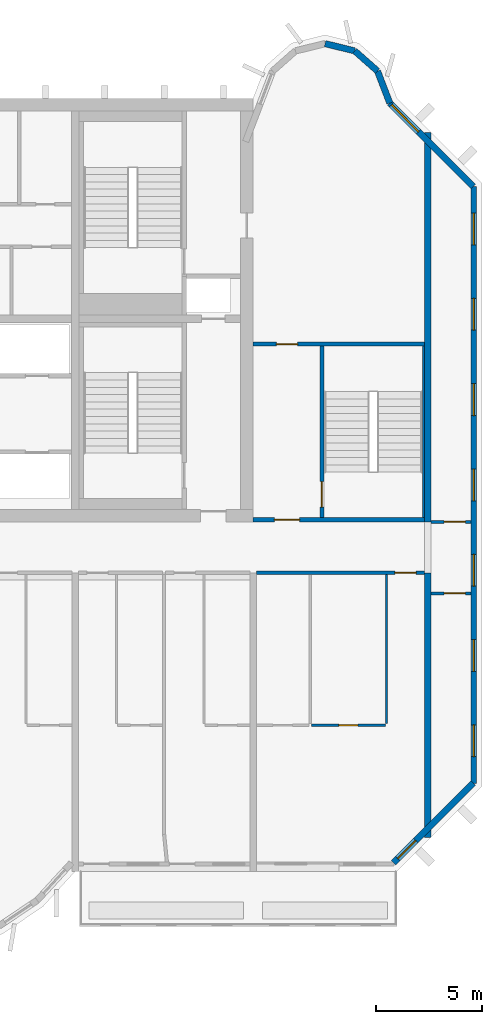
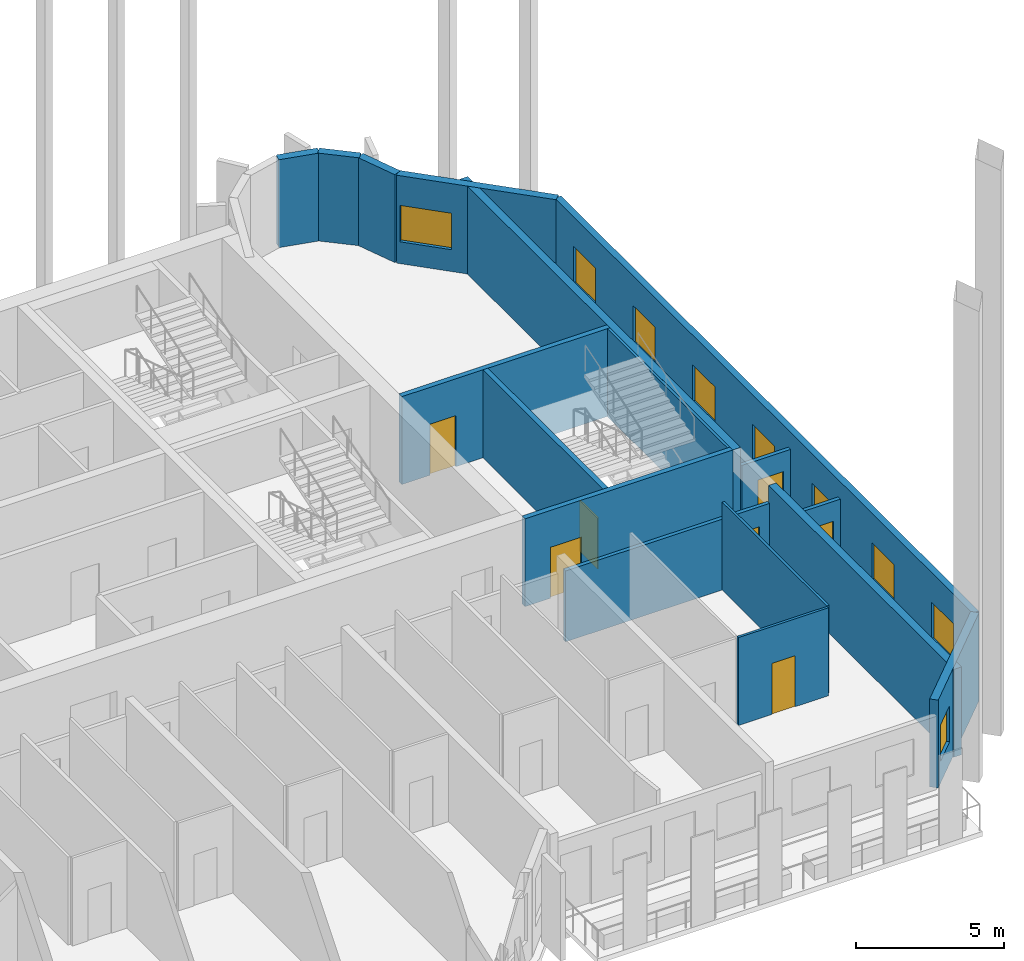
# One storey, part 8 of 13: 17 walls, 9 windows, 7 doors, 16 openings.
"""IFC4 building model written with IfcOpenShell, lengths in metres."""

from ifc_helpers import new_model, si_unit, direction, frame, frame_2d, origin, place, context, subcontext, project, spatial, rectangle, extrude, source, transform, mapped, material, layer, layer_set, type_object, element, fill, save


model = new_model("IFC4")

# Units and contexts
model_context = context("Model", 3, precision=1e-05, world=origin(), true_north=direction((0.0, 1.0)))
body_context = subcontext(model_context, "Body", "Model", "MODEL_VIEW")
ifc_project = project(units=[si_unit("LENGTHUNIT", "METRE"), si_unit("AREAUNIT", "SQUARE_METRE"), si_unit("VOLUMEUNIT", "CUBIC_METRE"), si_unit("PLANEANGLEUNIT", "RADIAN"), si_unit("MASSUNIT", "GRAM", prefix="KILO")], contexts=[model_context])

# Site, building, storey
site_placement = place(None, origin())
site = spatial("IfcSite", under=ifc_project, at=site_placement, CompositionType="ELEMENT")
building_placement = place(site_placement, origin())
building = spatial("IfcBuilding", under=site, at=building_placement, Name="Vanashikhar Sky Hotel", CompositionType="ELEMENT")
storey_placement = place(building_placement, frame((0.0, 0.0, 214.0)))
storey = spatial("IfcBuildingStorey", under=building, at=storey_placement, Name="L51", CompositionType="ELEMENT", Elevation=214.0)

# Walls
ifc_material_1 = material(Name="Concrete M60", Category="concrete")
ifc_layer_1 = layer(ifc_material_1, 0.300048828125)
ifc_layer_set_1 = layer_set([ifc_layer_1], Name="RC shear wall 300 Concrete M60")
wall_type_1 = type_object("IfcWallType", Name="RC shear wall 300 Concrete M60", PredefinedType="SHEAR", material=ifc_layer_set_1)
shared_shape_1 = source(origin(), body_context, "Body", "SweptSolid", [
    extrude(rectangle(XDim=12.5, YDim=0.300048828125, at=frame_2d((6.25, 0.0))), origin(), (0.0, 0.0, 1.0), 3.6201171875),
])
wall_1_placement = place(storey_placement, frame((83.85009765625, 7.10009765625, 0.0), z_axis=(0.0, 0.0, 1.0), x_axis=(0.0, 1.0, 0.0)))
element("IfcWall", 1, at=wall_1_placement, inside=storey, type_object=wall_type_1, Name="CW-L51-XW11-1", PredefinedType="SHEAR", context=body_context, shape_type="MappedRepresentation", body=[
    mapped(shared_shape_1, transform((0.0, 0.0, 0.0), scale=1.0)),
])
shared_shape_2 = source(origin(), body_context, "Body", "SweptSolid", [
    extrude(rectangle(XDim=18.39990234375, YDim=0.300048828125, at=frame_2d((9.199951171875, 0.0))), origin(), (0.0, 0.0, 1.0), 3.6201171875),
])
wall_2_placement = place(storey_placement, frame((83.85009765625, 22.0, 0.0), z_axis=(0.0, 0.0, 1.0), x_axis=(0.0, 1.0, 0.0)))
element("IfcWall", 2, at=wall_2_placement, inside=storey, type_object=wall_type_1, Name="CW-L51-XW11-2", PredefinedType="SHEAR", context=body_context, shape_type="MappedRepresentation", body=[
    mapped(shared_shape_2, transform((0.0, 0.0, 0.0), scale=1.0)),
])

# Wall, opening, window
ifc_material_2 = material(Name="Concrete M50", Category="concrete")
ifc_layer_2 = layer(ifc_material_2, 0.300048828125)
ifc_layer_set_2 = layer_set([ifc_layer_2], Name="Lobe wall 300")
wall_type_2 = type_object("IfcWallType", Name="Lobe wall 300", PredefinedType="SOLIDWALL", material=ifc_layer_set_2)
shared_shape_3 = source(origin(), body_context, "Body", "SweptSolid", [
    extrude(rectangle(XDim=5.32568359375, YDim=0.300048828125, at=frame_2d((2.662841796875, 0.0))), origin(), (0.0, 0.0, 1.0), 3.6201171875),
])
wall_3_placement = place(storey_placement, frame((82.234375, 5.89990234375, 0.0), z_axis=(0.0, 0.0, 1.0), x_axis=(0.707083859269, 0.707129702361, 0.0)))
wall_3 = element("IfcWall", 3, at=wall_3_placement, inside=storey, type_object=wall_type_2, Name="Corner wall", PredefinedType="SOLIDWALL", context=body_context, shape_type="MappedRepresentation", body=[
    mapped(shared_shape_3, transform((0.0, 0.0, 0.0), scale=1.0)),
])
shared_shape_4 = source(origin(), body_context, "Body", "SweptSolid", [
    extrude(rectangle(XDim=1.199951171875, YDim=1.5, at=frame_2d((0.60009765625, 0.75))), frame((0.0, 0.16015625, 0.0), z_axis=(0.0, -1.0, 0.0), x_axis=(1.0, 0.0, 0.0)), (0.0, 0.0, 1.0), 0.320068359375),
])
opening_1_placement = place(wall_3_placement, frame((0.29248046875, 0.0, 0.89990234375)))
opening_1 = element("IfcOpeningElement", 4, at=opening_1_placement, cuts=wall_3, Name="Opening WN-3", PredefinedType="OPENING", context=body_context, shape_type="MappedRepresentation", body=[
    mapped(shared_shape_4, transform((0.0, 0.0, 0.0), scale=1.0)),
])
ifc_material_3 = material(Name="Glass", Category="glass")
window_type_1 = type_object("IfcWindowType", Name="Corridor end window 1200 x 1500", PartitioningType="SINGLE_PANEL", PredefinedType="WINDOW", material=ifc_material_3)
shared_shape_5 = source(origin(), body_context, "Body", "SweptSolid", [
    extrude(rectangle(XDim=1.199951171875, YDim=1.5, at=frame_2d((0.60009765625, 0.75))), frame((0.0, 0.030029296875, 0.0), z_axis=(0.0, -1.0, 0.0), x_axis=(1.0, 0.0, 0.0)), (0.0, 0.0, 1.0), 0.06005859375),
])
window_1_placement = place(opening_1_placement, origin())
window_1 = element("IfcWindow", 5, at=window_1_placement, inside=storey, type_object=window_type_1, Name="Window WN-3", OverallHeight=1.5, OverallWidth=1.199951171875, PartitioningType="SINGLE_PANEL", PredefinedType="WINDOW", context=body_context, shape_type="MappedRepresentation", body=[
    mapped(shared_shape_5, transform((0.0, 0.0, 0.0), scale=1.0)),
])
fill(opening_1, window_1)

shared_shape_6 = source(origin(), body_context, "Body", "SweptSolid", [
    extrude(rectangle(XDim=5.576416015625, YDim=0.300048828125, at=frame_2d((2.7880859375, 0.0))), origin(), (0.0, 0.0, 1.0), 3.6201171875),
])
wall_4_placement = place(storey_placement, frame((86.0, 37.834228515625, 0.0), z_axis=(0.0, 0.0, 1.0), x_axis=(-0.707106781187, 0.707106781187, 0.0)))
wall_4 = element("IfcWall", 6, at=wall_4_placement, inside=storey, type_object=wall_type_2, Name="Corner wall", PredefinedType="SOLIDWALL", context=body_context, shape_type="MappedRepresentation", body=[
    mapped(shared_shape_6, transform((0.0, 0.0, 0.0), scale=1.0)),
])
shared_shape_7 = source(origin(), body_context, "Body", "SweptSolid", [
    extrude(rectangle(XDim=1.800048828125, YDim=1.5, at=frame_2d((0.89990234375, 0.75))), frame((0.0, 0.16015625, 0.0), z_axis=(0.0, -1.0, 0.0), x_axis=(1.0, 0.0, 0.0)), (0.0, 0.0, 1.0), 0.320068359375),
])
opening_2_placement = place(wall_4_placement, frame((3.658447265625, 0.0, 0.89990234375)))
opening_2 = element("IfcOpeningElement", 7, at=opening_2_placement, cuts=wall_4, Name="Opening WN-4", PredefinedType="OPENING", context=body_context, shape_type="MappedRepresentation", body=[
    mapped(shared_shape_7, transform((0.0, 0.0, 0.0), scale=1.0)),
])
window_type_2 = type_object("IfcWindowType", Name="Corner window 1800 x 1500", PartitioningType="SINGLE_PANEL", PredefinedType="WINDOW", material=ifc_material_3)
shared_shape_8 = source(origin(), body_context, "Body", "SweptSolid", [
    extrude(rectangle(XDim=1.800048828125, YDim=1.5, at=frame_2d((0.89990234375, 0.75))), frame((0.0, 0.030029296875, 0.0), z_axis=(0.0, -1.0, 0.0), x_axis=(1.0, 0.0, 0.0)), (0.0, 0.0, 1.0), 0.06005859375),
])
window_2_placement = place(opening_2_placement, origin())
window_2 = element("IfcWindow", 8, at=window_2_placement, inside=storey, type_object=window_type_2, Name="Window WN-4", OverallHeight=1.5, OverallWidth=1.800048828125, PartitioningType="SINGLE_PANEL", PredefinedType="WINDOW", context=body_context, shape_type="MappedRepresentation", body=[
    mapped(shared_shape_8, transform((0.0, 0.0, 0.0), scale=1.0)),
])
fill(opening_2, window_2)

# Walls
shared_shape_9 = source(origin(), body_context, "Body", "SweptSolid", [
    extrude(rectangle(XDim=1.6220703125, YDim=0.300048828125, at=frame_2d((0.81103515625, 0.0))), origin(), (0.0, 0.0, 1.0), 3.6201171875),
])
wall_5_placement = place(storey_placement, frame((82.056884765625, 41.77734375, 0.0), z_axis=(0.0, 0.0, 1.0), x_axis=(-0.357778527068, 0.933806471154, 0.0)))
element("IfcWall", 9, at=wall_5_placement, inside=storey, type_object=wall_type_2, Name="Lobe wall", PredefinedType="SOLIDWALL", context=body_context, shape_type="MappedRepresentation", body=[
    mapped(shared_shape_9, transform((0.0, 0.0, 0.0), scale=1.0)),
])
shared_shape_10 = source(origin(), body_context, "Body", "SweptSolid", [
    extrude(rectangle(XDim=1.43994140625, YDim=0.300048828125, at=frame_2d((0.719970703125, 0.0))), origin(), (0.0, 0.0, 1.0), 3.6201171875),
])
wall_6_placement = place(storey_placement, frame((81.4765625, 43.2919921875, 0.0), z_axis=(0.0, 0.0, 1.0), x_axis=(-0.74957555648, 0.661918790432, 0.0)))
element("IfcWall", 10, at=wall_6_placement, inside=storey, type_object=wall_type_2, Name="Lobe wall", PredefinedType="SOLIDWALL", context=body_context, shape_type="MappedRepresentation", body=[
    mapped(shared_shape_10, transform((0.0, 0.0, 0.0), scale=1.0)),
])
shared_shape_11 = source(origin(), body_context, "Body", "SweptSolid", [
    extrude(rectangle(XDim=1.438720703125, YDim=0.300048828125, at=frame_2d((0.71923828125, 0.0))), origin(), (0.0, 0.0, 1.0), 3.6201171875),
])
wall_7_placement = place(storey_placement, frame((80.397216796875, 44.2451171875, 0.0), z_axis=(0.0, 0.0, 1.0), x_axis=(-0.971161932466, 0.238420848351, 0.0)))
element("IfcWall", 11, at=wall_7_placement, inside=storey, type_object=wall_type_2, Name="Lobe wall", PredefinedType="SOLIDWALL", context=body_context, shape_type="MappedRepresentation", body=[
    mapped(shared_shape_11, transform((0.0, 0.0, 0.0), scale=1.0)),
])

# Wall, openings, windows
ifc_layer_3 = layer(ifc_material_2, 0.25)
ifc_layer_set_3 = layer_set([ifc_layer_3], Name="Rear and end board-marked wall 250")
wall_type_3 = type_object("IfcWallType", Name="Rear and end board-marked wall 250", PredefinedType="SOLIDWALL", material=ifc_layer_set_3)
shared_shape_12 = source(origin(), body_context, "Body", "SweptSolid", [
    extrude(rectangle(XDim=28.189453125, YDim=0.25, at=frame_2d((14.0947265625, 0.0))), origin(), (0.0, 0.0, 1.0), 3.6201171875),
])
wall_8_placement = place(storey_placement, frame((86.02490234375, 9.6552734375, 0.0), z_axis=(0.0, 0.0, 1.0), x_axis=(0.0, 1.0, 0.0)))
wall_8 = element("IfcWall", 12, at=wall_8_placement, inside=storey, type_object=wall_type_3, Name="End board-marked wall", PredefinedType="SOLIDWALL", context=body_context, shape_type="MappedRepresentation", body=[
    mapped(shared_shape_12, transform((0.0, 0.0, 0.0), scale=1.0)),
])
shared_shape_13 = source(origin(), body_context, "Body", "SweptSolid", [
    extrude(rectangle(XDim=1.5, YDim=1.5, at=frame_2d((0.75, 0.75))), frame((0.0, 0.135009765625, 0.0), z_axis=(0.0, -1.0, 0.0), x_axis=(1.0, 0.0, 0.0)), (0.0, 0.0, 1.0), 0.27001953125),
])
opening_3_placement = place(wall_8_placement, frame((1.263427734375, 0.0, 0.89990234375)))
opening_3 = element("IfcOpeningElement", 13, at=opening_3_placement, cuts=wall_8, Name="Opening WN-1", PredefinedType="OPENING", context=body_context, shape_type="MappedRepresentation", body=[
    mapped(shared_shape_13, transform((0.0, 0.0, 0.0), scale=1.0)),
])
opening_4_placement = place(wall_8_placement, frame((5.29052734375, 0.0, 0.89990234375)))
opening_4 = element("IfcOpeningElement", 14, at=opening_4_placement, cuts=wall_8, Name="Opening WN-1", PredefinedType="OPENING", context=body_context, shape_type="MappedRepresentation", body=[
    mapped(shared_shape_13, transform((0.0, 0.0, 0.0), scale=1.0)),
])
opening_5_placement = place(wall_8_placement, frame((9.317626953125, 0.0, 0.89990234375)))
opening_5 = element("IfcOpeningElement", 15, at=opening_5_placement, cuts=wall_8, Name="Opening WN-1", PredefinedType="OPENING", context=body_context, shape_type="MappedRepresentation", body=[
    mapped(shared_shape_13, transform((0.0, 0.0, 0.0), scale=1.0)),
])
opening_6_placement = place(wall_8_placement, frame((13.3447265625, 0.0, 0.89990234375)))
opening_6 = element("IfcOpeningElement", 16, at=opening_6_placement, cuts=wall_8, Name="Opening WN-1", PredefinedType="OPENING", context=body_context, shape_type="MappedRepresentation", body=[
    mapped(shared_shape_13, transform((0.0, 0.0, 0.0), scale=1.0)),
])
opening_7_placement = place(wall_8_placement, frame((17.371826171875, 0.0, 0.89990234375)))
opening_7 = element("IfcOpeningElement", 17, at=opening_7_placement, cuts=wall_8, Name="Opening WN-1", PredefinedType="OPENING", context=body_context, shape_type="MappedRepresentation", body=[
    mapped(shared_shape_13, transform((0.0, 0.0, 0.0), scale=1.0)),
])
opening_8_placement = place(wall_8_placement, frame((21.398681640625, 0.0, 0.89990234375)))
opening_8 = element("IfcOpeningElement", 18, at=opening_8_placement, cuts=wall_8, Name="Opening WN-1", PredefinedType="OPENING", context=body_context, shape_type="MappedRepresentation", body=[
    mapped(shared_shape_13, transform((0.0, 0.0, 0.0), scale=1.0)),
])
opening_9_placement = place(wall_8_placement, frame((25.42578125, 0.0, 0.89990234375)))
opening_9 = element("IfcOpeningElement", 19, at=opening_9_placement, cuts=wall_8, Name="Opening WN-1", PredefinedType="OPENING", context=body_context, shape_type="MappedRepresentation", body=[
    mapped(shared_shape_13, transform((0.0, 0.0, 0.0), scale=1.0)),
])
window_type_3 = type_object("IfcWindowType", Name="Window 1500 x 1500", PartitioningType="SINGLE_PANEL", PredefinedType="WINDOW", material=ifc_material_3)
shared_shape_14 = source(origin(), body_context, "Body", "SweptSolid", [
    extrude(rectangle(XDim=1.5, YDim=1.5, at=frame_2d((0.75, 0.75))), frame((0.0, 0.030029296875, 0.0), z_axis=(0.0, -1.0, 0.0), x_axis=(1.0, 0.0, 0.0)), (0.0, 0.0, 1.0), 0.06005859375),
])
window_3_placement = place(opening_3_placement, origin())
window_3 = element("IfcWindow", 20, at=window_3_placement, inside=storey, type_object=window_type_3, Name="Window WN-1", OverallHeight=1.5, OverallWidth=1.5, PartitioningType="SINGLE_PANEL", PredefinedType="WINDOW", context=body_context, shape_type="MappedRepresentation", body=[
    mapped(shared_shape_14, transform((0.0, 0.0, 0.0), scale=1.0)),
])
fill(opening_3, window_3)
window_4_placement = place(opening_4_placement, origin())
window_4 = element("IfcWindow", 21, at=window_4_placement, inside=storey, type_object=window_type_3, Name="Window WN-1", OverallHeight=1.5, OverallWidth=1.5, PartitioningType="SINGLE_PANEL", PredefinedType="WINDOW", context=body_context, shape_type="MappedRepresentation", body=[
    mapped(shared_shape_14, transform((0.0, 0.0, 0.0), scale=1.0)),
])
fill(opening_4, window_4)
window_5_placement = place(opening_5_placement, origin())
window_5 = element("IfcWindow", 22, at=window_5_placement, inside=storey, type_object=window_type_3, Name="Window WN-1", OverallHeight=1.5, OverallWidth=1.5, PartitioningType="SINGLE_PANEL", PredefinedType="WINDOW", context=body_context, shape_type="MappedRepresentation", body=[
    mapped(shared_shape_14, transform((0.0, 0.0, 0.0), scale=1.0)),
])
fill(opening_5, window_5)
window_6_placement = place(opening_6_placement, origin())
window_6 = element("IfcWindow", 23, at=window_6_placement, inside=storey, type_object=window_type_3, Name="Window WN-1", OverallHeight=1.5, OverallWidth=1.5, PartitioningType="SINGLE_PANEL", PredefinedType="WINDOW", context=body_context, shape_type="MappedRepresentation", body=[
    mapped(shared_shape_14, transform((0.0, 0.0, 0.0), scale=1.0)),
])
fill(opening_6, window_6)
window_7_placement = place(opening_7_placement, origin())
window_7 = element("IfcWindow", 24, at=window_7_placement, inside=storey, type_object=window_type_3, Name="Window WN-1", OverallHeight=1.5, OverallWidth=1.5, PartitioningType="SINGLE_PANEL", PredefinedType="WINDOW", context=body_context, shape_type="MappedRepresentation", body=[
    mapped(shared_shape_14, transform((0.0, 0.0, 0.0), scale=1.0)),
])
fill(opening_7, window_7)
window_8_placement = place(opening_8_placement, origin())
window_8 = element("IfcWindow", 25, at=window_8_placement, inside=storey, type_object=window_type_3, Name="Window WN-1", OverallHeight=1.5, OverallWidth=1.5, PartitioningType="SINGLE_PANEL", PredefinedType="WINDOW", context=body_context, shape_type="MappedRepresentation", body=[
    mapped(shared_shape_14, transform((0.0, 0.0, 0.0), scale=1.0)),
])
fill(opening_8, window_8)
window_9_placement = place(opening_9_placement, origin())
window_9 = element("IfcWindow", 26, at=window_9_placement, inside=storey, type_object=window_type_3, Name="Window WN-1", OverallHeight=1.5, OverallWidth=1.5, PartitioningType="SINGLE_PANEL", PredefinedType="WINDOW", context=body_context, shape_type="MappedRepresentation", body=[
    mapped(shared_shape_14, transform((0.0, 0.0, 0.0), scale=1.0)),
])
fill(opening_9, window_9)

# Wall, opening, door
ifc_layer_4 = layer(ifc_material_2, 0.199951171875)
ifc_layer_set_4 = layer_set([ifc_layer_4], Name="Stair wall 200")
wall_type_4 = type_object("IfcWallType", Name="Stair wall 200", PredefinedType="SOLIDWALL", material=ifc_layer_set_4)
shared_shape_15 = source(origin(), body_context, "Body", "SweptSolid", [
    extrude(rectangle(XDim=8.2998046875, YDim=0.199951171875, at=frame_2d((4.14990234375, 0.0))), origin(), (0.0, 0.0, 1.0), 3.6201171875),
])
wall_9_placement = place(storey_placement, frame((78.85009765625, 22.10009765625, 0.0), z_axis=(0.0, 0.0, 1.0), x_axis=(0.0, 1.0, 0.0)))
wall_9 = element("IfcWall", 27, at=wall_9_placement, inside=storey, type_object=wall_type_4, Name="Stair wall 200", PredefinedType="SOLIDWALL", context=body_context, shape_type="MappedRepresentation", body=[
    mapped(shared_shape_15, transform((0.0, 0.0, 0.0), scale=1.0)),
])
shared_shape_16 = source(origin(), body_context, "Body", "SweptSolid", [
    extrude(rectangle(XDim=1.199951171875, YDim=2.10009765625, at=frame_2d((0.60009765625, 1.050048828125))), frame((0.0, 0.10986328125, 0.0), z_axis=(0.0, -1.0, 0.0), x_axis=(1.0, 0.0, 0.0)), (0.0, 0.0, 1.0), 0.219970703125),
])
opening_10_placement = place(wall_9_placement, frame((0.60009765625, 0.0, 0.0)))
opening_10 = element("IfcOpeningElement", 28, at=opening_10_placement, cuts=wall_9, Name="Opening DC-1", PredefinedType="OPENING", context=body_context, shape_type="MappedRepresentation", body=[
    mapped(shared_shape_16, transform((0.0, 0.0, 0.0), scale=1.0)),
])
ifc_material_4 = material(Name="Steel", Category="steel")
door_type_1 = type_object("IfcDoorType", Name="Stair door 1200 FD120", OperationType="NOTDEFINED", PredefinedType="DOOR", material=ifc_material_4)
shared_shape_17 = source(origin(), body_context, "Body", "SweptSolid", [
    extrude(rectangle(XDim=1.199951171875, YDim=2.10009765625, at=frame_2d((0.60009765625, 1.050048828125))), frame((0.0, 0.02490234375, 0.0), z_axis=(0.0, -1.0, 0.0), x_axis=(1.0, 0.0, 0.0)), (0.0, 0.0, 1.0), 0.050048828125),
])
door_1_placement = place(opening_10_placement, origin())
door_1 = element("IfcDoor", 29, at=door_1_placement, inside=storey, type_object=door_type_1, Name="Stair door 1200 FD120", OperationType="SINGLE_SWING_RIGHT", OverallHeight=2.10009765625, OverallWidth=1.199951171875, PredefinedType="DOOR", context=body_context, shape_type="MappedRepresentation", body=[
    mapped(shared_shape_17, transform((0.0, 0.0, 0.0), scale=1.0)),
])
fill(opening_10, door_1)

shared_shape_18 = source(origin(), body_context, "Body", "SweptSolid", [
    extrude(rectangle(XDim=8.099853515625, YDim=0.199951171875, at=frame_2d((4.0498046875, 0.0))), origin(), (0.0, 0.0, 1.0), 3.6201171875),
])
wall_10_placement = place(storey_placement, frame((83.699951171875, 22.10009765625, 0.0), z_axis=(0.0, 0.0, 1.0), x_axis=(-1.0, 0.0, 0.0)))
wall_10 = element("IfcWall", 30, at=wall_10_placement, inside=storey, type_object=wall_type_4, Name="Stair wall 200", PredefinedType="SOLIDWALL", context=body_context, shape_type="MappedRepresentation", body=[
    mapped(shared_shape_18, transform((0.0, 0.0, 0.0), scale=1.0)),
])
opening_11_placement = place(wall_10_placement, frame((5.89990234375, 0.0, 0.0)))
opening_11 = element("IfcOpeningElement", 31, at=opening_11_placement, cuts=wall_10, Name="Opening DC-2", PredefinedType="OPENING", context=body_context, shape_type="MappedRepresentation", body=[
    mapped(shared_shape_16, transform((0.0, 0.0, 0.0), scale=1.0)),
])
door_type_2 = type_object("IfcDoorType", Name="Firefighting lobby door 1200 FD120", OperationType="NOTDEFINED", PredefinedType="DOOR", material=ifc_material_4)
door_2_placement = place(opening_11_placement, origin())
door_2 = element("IfcDoor", 32, at=door_2_placement, inside=storey, type_object=door_type_2, Name="Firefighting lobby door 1200 FD120", OperationType="SINGLE_SWING_LEFT", OverallHeight=2.10009765625, OverallWidth=1.199951171875, PredefinedType="DOOR", context=body_context, shape_type="MappedRepresentation", body=[
    mapped(shared_shape_17, transform((0.0, 0.0, 0.0), scale=1.0)),
])
fill(opening_11, door_2)

wall_11_placement = place(storey_placement, frame((83.699951171875, 30.39990234375, 0.0), z_axis=(0.0, 0.0, 1.0), x_axis=(-1.0, 0.0, 0.0)))
wall_11 = element("IfcWall", 33, at=wall_11_placement, inside=storey, type_object=wall_type_4, Name="Stair wall 200", PredefinedType="SOLIDWALL", context=body_context, shape_type="MappedRepresentation", body=[
    mapped(shared_shape_18, transform((0.0, 0.0, 0.0), scale=1.0)),
])
shared_shape_19 = source(origin(), body_context, "Body", "SweptSolid", [
    extrude(rectangle(XDim=1.0, YDim=2.10009765625, at=frame_2d((0.5, 1.050048828125))), frame((0.0, 0.10986328125, 0.0), z_axis=(0.0, -1.0, 0.0), x_axis=(1.0, 0.0, 0.0)), (0.0, 0.0, 1.0), 0.219970703125),
])
opening_12_placement = place(wall_11_placement, frame((6.0, 0.0, 0.0)))
opening_12 = element("IfcOpeningElement", 34, at=opening_12_placement, cuts=wall_11, Name="Opening DC-6", PredefinedType="OPENING", context=body_context, shape_type="MappedRepresentation", body=[
    mapped(shared_shape_19, transform((0.0, 0.0, 0.0), scale=1.0)),
])
door_type_3 = type_object("IfcDoorType", Name="Pocket door 1000 FD60", OperationType="NOTDEFINED", PredefinedType="DOOR", material=ifc_material_4)
shared_shape_20 = source(origin(), body_context, "Body", "SweptSolid", [
    extrude(rectangle(XDim=1.0, YDim=2.10009765625, at=frame_2d((0.5, 1.050048828125))), frame((0.0, 0.02490234375, 0.0), z_axis=(0.0, -1.0, 0.0), x_axis=(1.0, 0.0, 0.0)), (0.0, 0.0, 1.0), 0.050048828125),
])
door_3_placement = place(opening_12_placement, origin())
door_3 = element("IfcDoor", 35, at=door_3_placement, inside=storey, type_object=door_type_3, Name="Pocket door 1000 FD60", OperationType="SINGLE_SWING_LEFT", OverallHeight=2.10009765625, OverallWidth=1.0, PredefinedType="DOOR", context=body_context, shape_type="MappedRepresentation", body=[
    mapped(shared_shape_20, transform((0.0, 0.0, 0.0), scale=1.0)),
])
fill(opening_12, door_3)

# Walls
ifc_layer_5 = layer(ifc_material_2, 0.10009765625)
ifc_layer_set_5 = layer_set([ifc_layer_5], Name="Stair infill wall 100")
wall_type_5 = type_object("IfcWallType", Name="Stair infill wall 100", PredefinedType="SOLIDWALL", material=ifc_layer_set_5)
shared_shape_21 = source(origin(), body_context, "Body", "SweptSolid", [
    extrude(rectangle(XDim=8.10009765625, YDim=0.10009765625, at=frame_2d((4.050048828125, 0.0))), origin(), (0.0, 0.0, 1.0), 3.6201171875),
])
wall_12_placement = place(storey_placement, frame((83.64990234375, 22.199951171875, 0.0), z_axis=(0.0, 0.0, 1.0), x_axis=(0.0, 1.0, 0.0)))
element("IfcWall", 36, at=wall_12_placement, inside=storey, type_object=wall_type_5, Name="Stair infill wall 100", PredefinedType="SOLIDWALL", context=body_context, shape_type="MappedRepresentation", body=[
    mapped(shared_shape_21, transform((0.0, 0.0, 0.0), scale=1.0)),
])
ifc_material_5 = material(Name="Gypsum plasterboard partition")
ifc_layer_6 = layer(ifc_material_5, 0.10009765625)
ifc_layer_set_6 = layer_set([ifc_layer_6], Name="Wet room partition 100")
wall_type_6 = type_object("IfcWallType", Name="Wet room partition 100", PredefinedType="PARTITIONING", material=ifc_layer_set_6)
shared_shape_22 = source(origin(), body_context, "Body", "SweptSolid", [
    extrude(rectangle(XDim=7.0498046875, YDim=0.10009765625, at=frame_2d((3.52490234375, 0.0))), origin(), (0.0, 0.0, 1.0), 3.6201171875),
])
wall_13_placement = place(storey_placement, frame((81.89990234375, 12.47509765625, 0.0), z_axis=(0.0, 0.0, 1.0), x_axis=(0.0, 1.0, 0.0)))
element("IfcWall", 37, at=wall_13_placement, inside=storey, type_object=wall_type_6, Name="W-L51-PW045", PredefinedType="PARTITIONING", context=body_context, shape_type="MappedRepresentation", body=[
    mapped(shared_shape_22, transform((0.0, 0.0, 0.0), scale=1.0)),
])

# Wall, opening, door
shared_shape_23 = source(origin(), body_context, "Body", "SweptSolid", [
    extrude(rectangle(XDim=3.5, YDim=0.10009765625, at=frame_2d((1.75, 0.0))), origin(), (0.0, 0.0, 1.0), 3.6201171875),
])
wall_14_placement = place(storey_placement, frame((78.35009765625, 12.39990234375, 0.0), z_axis=(0.0, 0.0, 1.0), x_axis=(1.0, 0.0, 0.0)))
wall_14 = element("IfcWall", 38, at=wall_14_placement, inside=storey, type_object=wall_type_6, Name="W-L51-PW047", PredefinedType="PARTITIONING", context=body_context, shape_type="MappedRepresentation", body=[
    mapped(shared_shape_23, transform((0.0, 0.0, 0.0), scale=1.0)),
])
shared_shape_24 = source(origin(), body_context, "Body", "SweptSolid", [
    extrude(rectangle(XDim=0.89990234375, YDim=2.10009765625, at=frame_2d((0.449951171875, 1.050048828125))), frame((0.0, 0.06005859375, 0.0), z_axis=(0.0, -1.0, 0.0), x_axis=(1.0, 0.0, 0.0)), (0.0, 0.0, 1.0), 0.1201171875),
])
opening_13_placement = place(wall_14_placement, frame((1.300048828125, 0.0, 0.0)))
opening_13 = element("IfcOpeningElement", 39, at=opening_13_placement, cuts=wall_14, Name="Opening D-02", PredefinedType="OPENING", context=body_context, shape_type="MappedRepresentation", body=[
    mapped(shared_shape_24, transform((0.0, 0.0, 0.0), scale=1.0)),
])
ifc_material_6 = material(Name="Timber door", Category="wood")
door_type_4 = type_object("IfcDoorType", Name="Internal door 900", OperationType="NOTDEFINED", PredefinedType="DOOR", material=ifc_material_6)
shared_shape_25 = source(origin(), body_context, "Body", "SweptSolid", [
    extrude(rectangle(XDim=0.89990234375, YDim=2.10009765625, at=frame_2d((0.449951171875, 1.050048828125))), frame((0.0, 0.02490234375, 0.0), z_axis=(0.0, -1.0, 0.0), x_axis=(1.0, 0.0, 0.0)), (0.0, 0.0, 1.0), 0.050048828125),
])
door_4_placement = place(opening_13_placement, origin())
door_4 = element("IfcDoor", 40, at=door_4_placement, inside=storey, type_object=door_type_4, Name="D-L51-027", OperationType="SINGLE_SWING_RIGHT", OverallHeight=2.10009765625, OverallWidth=0.89990234375, PredefinedType="DOOR", context=body_context, shape_type="MappedRepresentation", body=[
    mapped(shared_shape_25, transform((0.0, 0.0, 0.0), scale=1.0)),
])
fill(opening_13, door_4)

ifc_layer_7 = layer(ifc_material_5, 0.14990234375)
ifc_layer_set_7 = layer_set([ifc_layer_7], Name="Corridor and demising partition 150")
wall_type_7 = type_object("IfcWallType", Name="Corridor and demising partition 150", PredefinedType="PARTITIONING", material=ifc_layer_set_7)
shared_shape_26 = source(origin(), body_context, "Body", "SweptSolid", [
    extrude(rectangle(XDim=7.949951171875, YDim=0.14990234375, at=frame_2d((3.97509765625, 0.0))), origin(), (0.0, 0.0, 1.0), 2.919921875),
])
wall_15_placement = place(storey_placement, frame((75.75, 19.60009765625, 0.0), z_axis=(0.0, 0.0, 1.0), x_axis=(1.0, 0.0, 0.0)))
wall_15 = element("IfcWall", 41, at=wall_15_placement, inside=storey, type_object=wall_type_7, Name="W-L51-PW049", PredefinedType="PARTITIONING", context=body_context, shape_type="MappedRepresentation", body=[
    mapped(shared_shape_26, transform((0.0, 0.0, 0.0), scale=1.0)),
])
shared_shape_27 = source(origin(), body_context, "Body", "SweptSolid", [
    extrude(rectangle(XDim=1.0, YDim=2.10009765625, at=frame_2d((0.5, 1.050048828125))), frame((0.0, 0.0849609375, 0.0), z_axis=(0.0, -1.0, 0.0), x_axis=(1.0, 0.0, 0.0)), (0.0, 0.0, 1.0), 0.169921875),
])
opening_14_placement = place(wall_15_placement, frame((6.550048828125, 0.0, 0.0)))
opening_14 = element("IfcOpeningElement", 42, at=opening_14_placement, cuts=wall_15, Name="Opening D-01", PredefinedType="OPENING", context=body_context, shape_type="MappedRepresentation", body=[
    mapped(shared_shape_27, transform((0.0, 0.0, 0.0), scale=1.0)),
])
ifc_material_7 = material(Name="Timber fire door", Category="wood")
door_type_5 = type_object("IfcDoorType", Name="Guest entry door 1000 FD30S", OperationType="NOTDEFINED", PredefinedType="DOOR", material=ifc_material_7)
door_5_placement = place(opening_14_placement, origin())
door_5 = element("IfcDoor", 43, at=door_5_placement, inside=storey, type_object=door_type_5, Name="D-L51-029", OperationType="SINGLE_SWING_RIGHT", OverallHeight=2.10009765625, OverallWidth=1.0, PredefinedType="DOOR", context=body_context, shape_type="MappedRepresentation", body=[
    mapped(shared_shape_20, transform((0.0, 0.0, 0.0), scale=1.0)),
])
fill(opening_14, door_5)

shared_shape_28 = source(origin(), body_context, "Body", "SweptSolid", [
    extrude(rectangle(XDim=1.89990234375, YDim=0.14990234375, at=frame_2d((0.949951171875, 0.0))), origin(), (0.0, 0.0, 1.0), 2.919921875),
])
wall_16_placement = place(storey_placement, frame((84.0, 22.0, 0.0), z_axis=(0.0, 0.0, 1.0), x_axis=(1.0, 0.0, 0.0)))
wall_16 = element("IfcWall", 44, at=wall_16_placement, inside=storey, type_object=wall_type_7, Name="W-L51-PW053", PredefinedType="PARTITIONING", context=body_context, shape_type="MappedRepresentation", body=[
    mapped(shared_shape_28, transform((0.0, 0.0, 0.0), scale=1.0)),
])
opening_15_placement = place(wall_16_placement, frame((0.625, 0.0, 0.0)))
opening_15 = element("IfcOpeningElement", 45, at=opening_15_placement, cuts=wall_16, Name="Opening D-01", PredefinedType="OPENING", context=body_context, shape_type="MappedRepresentation", body=[
    mapped(shared_shape_27, transform((0.0, 0.0, 0.0), scale=1.0)),
])
door_6_placement = place(opening_15_placement, origin())
door_6 = element("IfcDoor", 46, at=door_6_placement, inside=storey, type_object=door_type_5, Name="D-L51-031", OperationType="SINGLE_SWING_RIGHT", OverallHeight=2.10009765625, OverallWidth=1.0, PredefinedType="DOOR", context=body_context, shape_type="MappedRepresentation", body=[
    mapped(shared_shape_20, transform((0.0, 0.0, 0.0), scale=1.0)),
])
fill(opening_15, door_6)

wall_17_placement = place(storey_placement, frame((84.0, 18.6279296875, 0.0), z_axis=(0.0, 0.0, 1.0), x_axis=(1.0, 0.0, 0.0)))
wall_17 = element("IfcWall", 47, at=wall_17_placement, inside=storey, type_object=wall_type_7, Name="W-L51-PW055", PredefinedType="PARTITIONING", context=body_context, shape_type="MappedRepresentation", body=[
    mapped(shared_shape_28, transform((0.0, 0.0, 0.0), scale=1.0)),
])
opening_16_placement = place(wall_17_placement, frame((0.625, 0.0, 0.0)))
opening_16 = element("IfcOpeningElement", 48, at=opening_16_placement, cuts=wall_17, Name="Opening D-01", PredefinedType="OPENING", context=body_context, shape_type="MappedRepresentation", body=[
    mapped(shared_shape_27, transform((0.0, 0.0, 0.0), scale=1.0)),
])
door_7_placement = place(opening_16_placement, origin())
door_7 = element("IfcDoor", 49, at=door_7_placement, inside=storey, type_object=door_type_5, Name="D-L51-033", OperationType="SINGLE_SWING_RIGHT", OverallHeight=2.10009765625, OverallWidth=1.0, PredefinedType="DOOR", context=body_context, shape_type="MappedRepresentation", body=[
    mapped(shared_shape_20, transform((0.0, 0.0, 0.0), scale=1.0)),
])
fill(opening_16, door_7)

save(model, "model.ifc")
